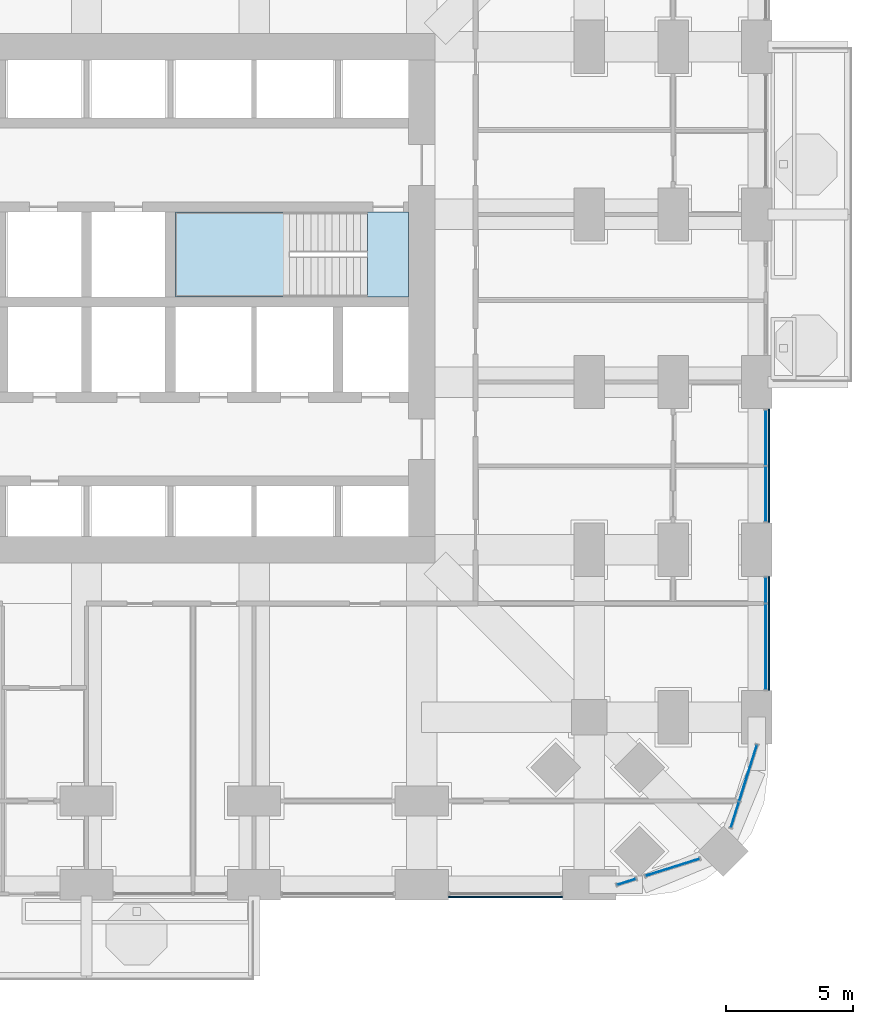
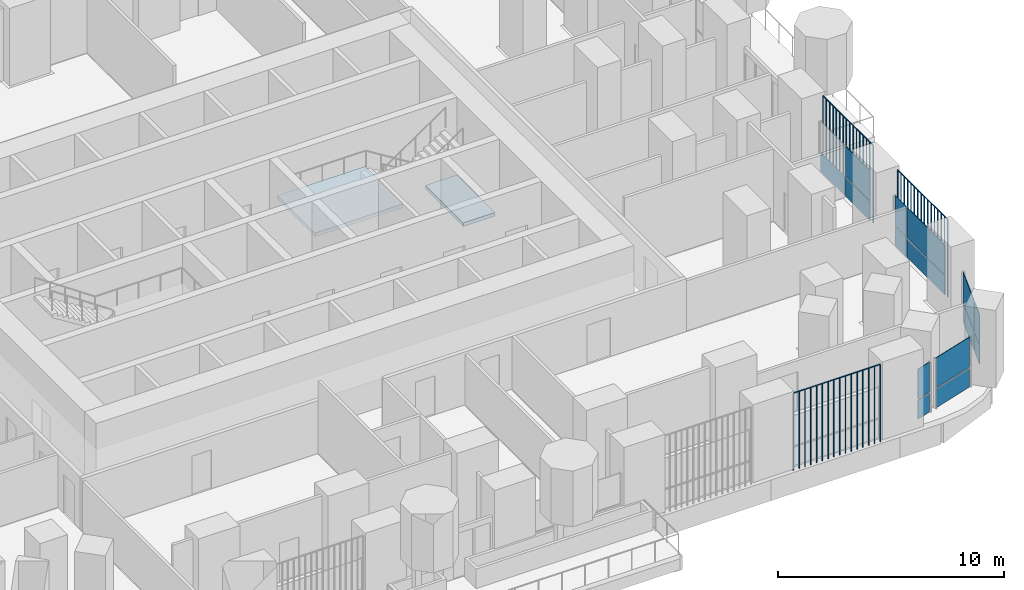
# One storey, part 13 of 26: 18 plates, 2 slabs, 6 elements without a shape of their own.
"""IFC4 building model written with IfcOpenShell, lengths in metres."""

from ifc_helpers import new_model, si_unit, direction, frame, origin, origin_2d, place, context, subcontext, project, spatial, polyline, rectangle, outline, extrude, material, layer, layer_set, type_object, element, aggregate, save


model = new_model("IFC4")

# Units and contexts
model_context = context("Model", 3, precision=1e-05, world=origin(), true_north=direction((0.0, 1.0)))
body_context = subcontext(model_context, "Body", "Model", "MODEL_VIEW")
ifc_project = project(units=[si_unit("LENGTHUNIT", "METRE"), si_unit("AREAUNIT", "SQUARE_METRE"), si_unit("VOLUMEUNIT", "CUBIC_METRE"), si_unit("PLANEANGLEUNIT", "RADIAN"), si_unit("MASSUNIT", "GRAM", prefix="KILO")], contexts=[model_context])

# Site, building, storey
site_placement = place(None, origin())
site = spatial("IfcSite", under=ifc_project, at=site_placement, CompositionType="ELEMENT")
building_placement = place(site_placement, origin())
building = spatial("IfcBuilding", under=site, at=building_placement, Name="Cobogo Forest Laboratory Tower", CompositionType="ELEMENT")
storey_placement = place(building_placement, frame((0.0, 0.0, 50.699951171875)))
storey = spatial("IfcBuildingStorey", under=building, at=storey_placement, Name="L11", CompositionType="ELEMENT", Elevation=50.699951171875)

# Curtain wall, plates
ifc_material_1 = material(Name="Aluminium curtain wall", Category="aluminium")
curtain_wall_type = type_object("IfcCurtainWallType", Name="CW-1 unitised curtain wall, clear glazing, laboratory floors zones A and B", PredefinedType="USERDEFINED", material=ifc_material_1)
curtain_wall_1_placement = place(storey_placement, origin())
curtain_wall_1 = element("IfcCurtainWall", 1, at=curtain_wall_1_placement, inside=storey, type_object=curtain_wall_type, Name="Curtain wall 07 L11", ObjectType="UNITISED CURTAIN WALL", PredefinedType="USERDEFINED")
ifc_material_2 = material(Name="Clear insulated glass", Category="glass")
ifc_layer_1 = layer(ifc_material_2, 0.028076171875)
ifc_layer_set_1 = layer_set([ifc_layer_1], Name="GP-1 clear insulated glass unit 28")
plate_type_1 = type_object("IfcPlateType", Name="GP-1 clear insulated glass unit 28", PredefinedType="CURTAIN_PANEL", material=ifc_layer_set_1)
plate_1_placement = place(storey_placement, frame((47.666015625, 0.113037109375, 0.0), z_axis=(0.0, 0.0, 1.0), x_axis=(0.953581504428, 0.301135043481, 0.0)))
plate_1 = element("IfcPlate", 2, at=plate_1_placement, type_object=plate_type_1, Name="CW-1 panel 1.1", PredefinedType="CURTAIN_PANEL", context=body_context, shape_type="SweptSolid", body=[
    extrude(rectangle(XDim=0.75244140625, YDim=0.028076171875, at=origin_2d()), origin(), (0.0, 0.0, 1.0), 1.02001953125),
])
plate_2_placement = place(storey_placement, frame((47.666015625, 0.113037109375, 1.080078125), z_axis=(0.0, 0.0, 1.0), x_axis=(0.953581504428, 0.301135043481, 0.0)))
plate_2 = element("IfcPlate", 3, at=plate_2_placement, type_object=plate_type_1, Name="CW-1 panel 1.2", PredefinedType="CURTAIN_PANEL", context=body_context, shape_type="SweptSolid", body=[
    extrude(rectangle(XDim=0.75244140625, YDim=0.028076171875, at=origin_2d()), origin(), (0.0, 0.0, 1.0), 1.6201171875),
])
aggregate(curtain_wall_1, [plate_1, plate_2])

curtain_wall_2_placement = place(storey_placement, origin())
curtain_wall_2 = element("IfcCurtainWall", 4, at=curtain_wall_2_placement, inside=storey, type_object=curtain_wall_type, Name="Curtain wall 08 L11", ObjectType="UNITISED CURTAIN WALL", PredefinedType="USERDEFINED")
plate_3_placement = place(storey_placement, frame((49.482177734375, 0.6865234375, 0.0), z_axis=(0.0, 0.0, 1.0), x_axis=(0.953581409645, 0.301135343623, 0.0)))
plate_3 = element("IfcPlate", 5, at=plate_3_placement, type_object=plate_type_1, Name="CW-1 panel 1.1", PredefinedType="CURTAIN_PANEL", context=body_context, shape_type="SweptSolid", body=[
    extrude(rectangle(XDim=2.203369140625, YDim=0.028076171875, at=origin_2d()), origin(), (0.0, 0.0, 1.0), 1.02001953125),
])
plate_4_placement = place(storey_placement, frame((49.482177734375, 0.6865234375, 1.080078125), z_axis=(0.0, 0.0, 1.0), x_axis=(0.953581409645, 0.301135343623, 0.0)))
plate_4 = element("IfcPlate", 6, at=plate_4_placement, type_object=plate_type_1, Name="CW-1 panel 1.2", PredefinedType="CURTAIN_PANEL", context=body_context, shape_type="SweptSolid", body=[
    extrude(rectangle(XDim=2.203369140625, YDim=0.028076171875, at=origin_2d()), origin(), (0.0, 0.0, 1.0), 1.6201171875),
])
aggregate(curtain_wall_2, [plate_3, plate_4])

curtain_wall_3_placement = place(storey_placement, origin())
curtain_wall_3 = element("IfcCurtainWall", 7, at=curtain_wall_3_placement, inside=storey, type_object=curtain_wall_type, Name="Curtain wall 09 L11", ObjectType="UNITISED CURTAIN WALL", PredefinedType="USERDEFINED")
plate_5_placement = place(storey_placement, frame((51.9365234375, 2.75732421875, 0.0), z_axis=(0.0, 0.0, 1.0), x_axis=(0.30113535792, 0.95358140513, 0.0)))
plate_5 = element("IfcPlate", 8, at=plate_5_placement, type_object=plate_type_1, Name="CW-1 panel 1.1", PredefinedType="CURTAIN_PANEL", context=body_context, shape_type="SweptSolid", body=[
    extrude(rectangle(XDim=1.027587890625, YDim=0.028076171875, at=origin_2d()), origin(), (0.0, 0.0, 1.0), 1.02001953125),
])
plate_6_placement = place(storey_placement, frame((51.9365234375, 2.75732421875, 1.080078125), z_axis=(0.0, 0.0, 1.0), x_axis=(0.30113535792, 0.95358140513, 0.0)))
plate_6 = element("IfcPlate", 9, at=plate_6_placement, type_object=plate_type_1, Name="CW-1 panel 1.2", PredefinedType="CURTAIN_PANEL", context=body_context, shape_type="SweptSolid", body=[
    extrude(rectangle(XDim=1.027587890625, YDim=0.028076171875, at=origin_2d()), origin(), (0.0, 0.0, 1.0), 1.6201171875),
])
plate_7_placement = place(storey_placement, frame((52.454833984375, 4.398681640625, 0.0), z_axis=(0.0, 0.0, 1.0), x_axis=(0.30113535792, 0.95358140513, 0.0)))
plate_7 = element("IfcPlate", 10, at=plate_7_placement, type_object=plate_type_1, Name="CW-1 panel 2.1", PredefinedType="CURTAIN_PANEL", context=body_context, shape_type="SweptSolid", body=[
    extrude(rectangle(XDim=2.294677734375, YDim=0.028076171875, at=origin_2d()), origin(), (0.0, 0.0, 1.0), 1.02001953125),
])
plate_8_placement = place(storey_placement, frame((52.454833984375, 4.398681640625, 1.080078125), z_axis=(0.0, 0.0, 1.0), x_axis=(0.30113535792, 0.95358140513, 0.0)))
plate_8 = element("IfcPlate", 11, at=plate_8_placement, type_object=plate_type_1, Name="CW-1 panel 2.2", PredefinedType="CURTAIN_PANEL", context=body_context, shape_type="SweptSolid", body=[
    extrude(rectangle(XDim=2.294677734375, YDim=0.028076171875, at=origin_2d()), origin(), (0.0, 0.0, 1.0), 1.6201171875),
])
aggregate(curtain_wall_3, [plate_5, plate_6, plate_7, plate_8])

curtain_wall_4_placement = place(storey_placement, origin())
curtain_wall_4 = element("IfcCurtainWall", 12, at=curtain_wall_4_placement, inside=storey, type_object=curtain_wall_type, Name="Curtain wall 10 L11", ObjectType="UNITISED CURTAIN WALL", PredefinedType="USERDEFINED")
plate_9_placement = place(storey_placement, frame((53.14990234375, 9.37744140625, 0.0), z_axis=(0.0, 0.0, 1.0), x_axis=(0.0, 1.0, 0.0)))
plate_9 = element("IfcPlate", 13, at=plate_9_placement, type_object=plate_type_1, Name="CW-1 panel 1.1", PredefinedType="CURTAIN_PANEL", context=body_context, shape_type="SweptSolid", body=[
    extrude(rectangle(XDim=3.3349609375, YDim=0.028076171875, at=origin_2d()), origin(), (0.0, 0.0, 1.0), 1.02001953125),
])
plate_10_placement = place(storey_placement, frame((53.14990234375, 9.37744140625, 1.080078125), z_axis=(0.0, 0.0, 1.0), x_axis=(0.0, 1.0, 0.0)))
plate_10 = element("IfcPlate", 14, at=plate_10_placement, type_object=plate_type_1, Name="CW-1 panel 1.2", PredefinedType="CURTAIN_PANEL", context=body_context, shape_type="SweptSolid", body=[
    extrude(rectangle(XDim=3.3349609375, YDim=0.028076171875, at=origin_2d()), origin(), (0.0, 0.0, 1.0), 1.6201171875),
])
plate_11_placement = place(storey_placement, frame((53.14990234375, 11.597412109375, 0.0), z_axis=(0.0, 0.0, 1.0), x_axis=(0.0, 1.0, 0.0)))
plate_11 = element("IfcPlate", 15, at=plate_11_placement, type_object=plate_type_1, Name="CW-1 panel 2.1", PredefinedType="CURTAIN_PANEL", context=body_context, shape_type="SweptSolid", body=[
    extrude(rectangle(XDim=0.985107421875, YDim=0.028076171875, at=origin_2d()), origin(), (0.0, 0.0, 1.0), 1.02001953125),
])
plate_12_placement = place(storey_placement, frame((53.14990234375, 11.597412109375, 1.080078125), z_axis=(0.0, 0.0, 1.0), x_axis=(0.0, 1.0, 0.0)))
plate_12 = element("IfcPlate", 16, at=plate_12_placement, type_object=plate_type_1, Name="CW-1 panel 2.2", PredefinedType="CURTAIN_PANEL", context=body_context, shape_type="SweptSolid", body=[
    extrude(rectangle(XDim=0.985107421875, YDim=0.028076171875, at=origin_2d()), origin(), (0.0, 0.0, 1.0), 1.6201171875),
])
aggregate(curtain_wall_4, [plate_9, plate_10, plate_11, plate_12])

curtain_wall_5_placement = place(storey_placement, origin())
curtain_wall_5 = element("IfcCurtainWall", 17, at=curtain_wall_5_placement, inside=storey, type_object=curtain_wall_type, Name="Curtain wall 11 L11", ObjectType="UNITISED CURTAIN WALL", PredefinedType="USERDEFINED")
plate_13_placement = place(storey_placement, frame((53.14990234375, 15.389892578125, 0.0), z_axis=(0.0, 0.0, 1.0), x_axis=(0.0, 1.0, 0.0)))
plate_13 = element("IfcPlate", 18, at=plate_13_placement, type_object=plate_type_1, Name="CW-1 panel 1.1", PredefinedType="CURTAIN_PANEL", context=body_context, shape_type="SweptSolid", body=[
    extrude(rectangle(XDim=2.159912109375, YDim=0.028076171875, at=origin_2d()), origin(), (0.0, 0.0, 1.0), 1.02001953125),
])
plate_14_placement = place(storey_placement, frame((53.14990234375, 15.389892578125, 1.080078125), z_axis=(0.0, 0.0, 1.0), x_axis=(0.0, 1.0, 0.0)))
plate_14 = element("IfcPlate", 19, at=plate_14_placement, type_object=plate_type_1, Name="CW-1 panel 1.2", PredefinedType="CURTAIN_PANEL", context=body_context, shape_type="SweptSolid", body=[
    extrude(rectangle(XDim=2.159912109375, YDim=0.028076171875, at=origin_2d()), origin(), (0.0, 0.0, 1.0), 1.6201171875),
])
plate_15_placement = place(storey_placement, frame((53.14990234375, 17.610107421875, 0.0), z_axis=(0.0, 0.0, 1.0), x_axis=(0.0, 1.0, 0.0)))
plate_15 = element("IfcPlate", 20, at=plate_15_placement, type_object=plate_type_1, Name="CW-1 panel 2.1", PredefinedType="CURTAIN_PANEL", context=body_context, shape_type="SweptSolid", body=[
    extrude(rectangle(XDim=2.159912109375, YDim=0.028076171875, at=origin_2d()), origin(), (0.0, 0.0, 1.0), 1.02001953125),
])
aggregate(curtain_wall_5, [plate_13, plate_14, plate_15])

# Stair, slabs
ifc_material_3 = material(Name="Precast concrete HA-40 (C40/50)", Category="concrete")
stair_type = type_object("IfcStairType", Name="ST24 exit stair 24 risers", PredefinedType="HALF_TURN_STAIR", material=ifc_material_3)
stair_placement = place(storey_placement, origin())
stair = element("IfcStair", 21, at=stair_placement, inside=storey, type_object=stair_type, Name="Stair 2 L11 to L12", PredefinedType="HALF_TURN_STAIR")
ifc_material_4 = material(Name="Concrete HA-40 (C40/50)", Category="concrete")
ifc_layer_2 = layer(ifc_material_4, 0.199951171875)
ifc_layer_set_2 = layer_set([ifc_layer_2], Name="SL stair landing 200")
slab_type = type_object("IfcSlabType", Name="SL stair landing 200", PredefinedType="LANDING", material=ifc_layer_set_2)
slab_1_placement = place(storey_placement, frame((0.0, 0.0, -0.199951171875)))
slab_1 = element("IfcSlab", 22, at=slab_1_placement, type_object=slab_type, Name="ST2 landing 1", PredefinedType="LANDING", context=body_context, shape_type="SweptSolid", body=[
    extrude(outline(polyline([(37.472900390625, 23.14990234375), (39.074951171875, 23.14990234375), (39.074951171875, 26.5), (37.472900390625, 26.5), (37.472900390625, 23.14990234375)])), origin(), (0.0, 0.0, 1.0), 0.199951171875),
])
slab_2_placement = place(storey_placement, frame((0.0, 0.0, 1.900146484375)))
slab_2 = element("IfcSlab", 23, at=slab_2_placement, type_object=slab_type, Name="ST2 landing 2", PredefinedType="LANDING", context=body_context, shape_type="SweptSolid", body=[
    extrude(outline(polyline([(29.89990234375, 23.14990234375), (34.39697265625, 23.14990234375), (34.39697265625, 26.5), (29.89990234375, 26.5), (29.89990234375, 23.14990234375)])), origin(), (0.0, 0.0, 1.0), 0.199951171875),
])
aggregate(stair, [slab_1, slab_2])

# Plates
ifc_material_5 = material(Name="Terracotta", Category="masonry")
plate_type_2 = type_object("IfcPlateType", Name="TB1 terracotta baguette screen", PredefinedType="USERDEFINED", material=ifc_material_5)
plate_16_placement = place(storey_placement, frame((40.68115234375, -0.477783203125, -0.14990234375)))
element("IfcPlate", 24, at=plate_16_placement, inside=storey, type_object=plate_type_2, Name="Baguette screen S6 L11", ObjectType="BAGUETTE SCREEN", PredefinedType="USERDEFINED", context=body_context, shape_type="SweptSolid", body=[
    extrude(outline(polyline([(0.02880859375, 0.011962890625), (0.011962890625, 0.02880859375), (-0.011962890625, 0.02880859375), (-0.02880859375, 0.011962890625), (-0.02880859375, -0.011962890625), (-0.011962890625, -0.02880859375), (0.011962890625, -0.02880859375), (0.02880859375, -0.011962890625), (0.02880859375, 0.011962890625)])), frame((0.0, 0.0, 4.168701171875), z_axis=(1.0, 0.0, 0.0), x_axis=(0.0, 1.0, 0.0)), (0.0, 0.0, 1.0), 4.4375),
    extrude(outline(polyline([(0.02880859375, 0.011962890625), (0.011962890625, 0.02880859375), (-0.011962890625, 0.02880859375), (-0.02880859375, 0.011962890625), (-0.02880859375, -0.011962890625), (-0.011962890625, -0.02880859375), (0.011962890625, -0.02880859375), (0.02880859375, -0.011962890625), (0.02880859375, 0.011962890625)])), origin(), (0.0, 0.0, 1.0), 4.137451171875),
    extrude(outline(polyline([(0.02880859375, 0.011962890625), (0.011962890625, 0.02880859375), (-0.011962890625, 0.02880859375), (-0.02880859375, 0.011962890625), (-0.02880859375, -0.011962890625), (-0.011962890625, -0.02880859375), (0.011962890625, -0.02880859375), (0.02880859375, -0.011962890625), (0.02880859375, 0.011962890625)])), frame((0.2958984375, 0.0, 0.0)), (0.0, 0.0, 1.0), 4.137451171875),
    extrude(outline(polyline([(0.02880859375, 0.011962890625), (0.011962890625, 0.02880859375), (-0.011962890625, 0.02880859375), (-0.02880859375, 0.011962890625), (-0.02880859375, -0.011962890625), (-0.011962890625, -0.02880859375), (0.011962890625, -0.02880859375), (0.02880859375, -0.011962890625), (0.02880859375, 0.011962890625)])), frame((0.591552734375, 0.0, 0.0)), (0.0, 0.0, 1.0), 4.137451171875),
    extrude(outline(polyline([(0.02880859375, 0.011962890625), (0.011962890625, 0.02880859375), (-0.011962890625, 0.02880859375), (-0.02880859375, 0.011962890625), (-0.02880859375, -0.011962890625), (-0.011962890625, -0.02880859375), (0.011962890625, -0.02880859375), (0.02880859375, -0.011962890625), (0.02880859375, 0.011962890625)])), frame((0.887451171875, 0.0, 0.0)), (0.0, 0.0, 1.0), 4.137451171875),
    extrude(outline(polyline([(0.02880859375, 0.011962890625), (0.011962890625, 0.02880859375), (-0.011962890625, 0.02880859375), (-0.02880859375, 0.011962890625), (-0.02880859375, -0.011962890625), (-0.011962890625, -0.02880859375), (0.011962890625, -0.02880859375), (0.02880859375, -0.011962890625), (0.02880859375, 0.011962890625)])), frame((1.183349609375, 0.0, 0.0)), (0.0, 0.0, 1.0), 4.137451171875),
    extrude(outline(polyline([(0.02880859375, 0.011962890625), (0.011962890625, 0.02880859375), (-0.011962890625, 0.02880859375), (-0.02880859375, 0.011962890625), (-0.02880859375, -0.011962890625), (-0.011962890625, -0.02880859375), (0.011962890625, -0.02880859375), (0.02880859375, -0.011962890625), (0.02880859375, 0.011962890625)])), frame((1.479248046875, 0.0, 0.0)), (0.0, 0.0, 1.0), 4.137451171875),
    extrude(outline(polyline([(0.02880859375, 0.011962890625), (0.011962890625, 0.02880859375), (-0.011962890625, 0.02880859375), (-0.02880859375, 0.011962890625), (-0.02880859375, -0.011962890625), (-0.011962890625, -0.02880859375), (0.011962890625, -0.02880859375), (0.02880859375, -0.011962890625), (0.02880859375, 0.011962890625)])), frame((1.77490234375, 0.0, 0.0)), (0.0, 0.0, 1.0), 4.137451171875),
    extrude(outline(polyline([(0.02880859375, 0.011962890625), (0.011962890625, 0.02880859375), (-0.011962890625, 0.02880859375), (-0.02880859375, 0.011962890625), (-0.02880859375, -0.011962890625), (-0.011962890625, -0.02880859375), (0.011962890625, -0.02880859375), (0.02880859375, -0.011962890625), (0.02880859375, 0.011962890625)])), frame((2.07080078125, 0.0, 0.0)), (0.0, 0.0, 1.0), 4.137451171875),
    extrude(outline(polyline([(0.02880859375, 0.011962890625), (0.011962890625, 0.02880859375), (-0.011962890625, 0.02880859375), (-0.02880859375, 0.011962890625), (-0.02880859375, -0.011962890625), (-0.011962890625, -0.02880859375), (0.011962890625, -0.02880859375), (0.02880859375, -0.011962890625), (0.02880859375, 0.011962890625)])), frame((2.36669921875, 0.0, 0.0)), (0.0, 0.0, 1.0), 4.137451171875),
    extrude(outline(polyline([(0.02880859375, 0.011962890625), (0.011962890625, 0.02880859375), (-0.011962890625, 0.02880859375), (-0.02880859375, 0.011962890625), (-0.02880859375, -0.011962890625), (-0.011962890625, -0.02880859375), (0.011962890625, -0.02880859375), (0.02880859375, -0.011962890625), (0.02880859375, 0.011962890625)])), frame((2.66259765625, 0.0, 0.0)), (0.0, 0.0, 1.0), 4.137451171875),
    extrude(outline(polyline([(0.02880859375, 0.011962890625), (0.011962890625, 0.02880859375), (-0.011962890625, 0.02880859375), (-0.02880859375, 0.011962890625), (-0.02880859375, -0.011962890625), (-0.011962890625, -0.02880859375), (0.011962890625, -0.02880859375), (0.02880859375, -0.011962890625), (0.02880859375, 0.011962890625)])), frame((2.958251953125, 0.0, 0.0)), (0.0, 0.0, 1.0), 4.137451171875),
    extrude(outline(polyline([(0.02880859375, 0.011962890625), (0.011962890625, 0.02880859375), (-0.011962890625, 0.02880859375), (-0.02880859375, 0.011962890625), (-0.02880859375, -0.011962890625), (-0.011962890625, -0.02880859375), (0.011962890625, -0.02880859375), (0.02880859375, -0.011962890625), (0.02880859375, 0.011962890625)])), frame((3.254150390625, 0.0, 0.0)), (0.0, 0.0, 1.0), 4.137451171875),
    extrude(outline(polyline([(0.02880859375, 0.011962890625), (0.011962890625, 0.02880859375), (-0.011962890625, 0.02880859375), (-0.02880859375, 0.011962890625), (-0.02880859375, -0.011962890625), (-0.011962890625, -0.02880859375), (0.011962890625, -0.02880859375), (0.02880859375, -0.011962890625), (0.02880859375, 0.011962890625)])), frame((3.550048828125, 0.0, 0.0)), (0.0, 0.0, 1.0), 4.137451171875),
    extrude(outline(polyline([(0.02880859375, 0.011962890625), (0.011962890625, 0.02880859375), (-0.011962890625, 0.02880859375), (-0.02880859375, 0.011962890625), (-0.02880859375, -0.011962890625), (-0.011962890625, -0.02880859375), (0.011962890625, -0.02880859375), (0.02880859375, -0.011962890625), (0.02880859375, 0.011962890625)])), frame((3.845947265625, 0.0, 0.0)), (0.0, 0.0, 1.0), 4.137451171875),
    extrude(outline(polyline([(0.02880859375, 0.011962890625), (0.011962890625, 0.02880859375), (-0.011962890625, 0.02880859375), (-0.02880859375, 0.011962890625), (-0.02880859375, -0.011962890625), (-0.011962890625, -0.02880859375), (0.011962890625, -0.02880859375), (0.02880859375, -0.011962890625), (0.02880859375, 0.011962890625)])), frame((4.1416015625, 0.0, 0.0)), (0.0, 0.0, 1.0), 4.137451171875),
    extrude(outline(polyline([(0.02880859375, 0.011962890625), (0.011962890625, 0.02880859375), (-0.011962890625, 0.02880859375), (-0.02880859375, 0.011962890625), (-0.02880859375, -0.011962890625), (-0.011962890625, -0.02880859375), (0.011962890625, -0.02880859375), (0.02880859375, -0.011962890625), (0.02880859375, 0.011962890625)])), frame((4.4375, 0.0, 0.0)), (0.0, 0.0, 1.0), 4.137451171875),
])
plate_17_placement = place(storey_placement, frame((53.27783203125, 7.68115234375, -0.14990234375)))
element("IfcPlate", 25, at=plate_17_placement, inside=storey, type_object=plate_type_2, Name="Baguette screen E1 L11", ObjectType="BAGUETTE SCREEN", PredefinedType="USERDEFINED", context=body_context, shape_type="SweptSolid", body=[
    extrude(outline(polyline([(0.02880859375, 0.011962890625), (0.011962890625, 0.02880859375), (-0.011962890625, 0.02880859375), (-0.02880859375, 0.011962890625), (-0.02880859375, -0.011962890625), (-0.011962890625, -0.02880859375), (0.011962890625, -0.02880859375), (0.02880859375, -0.011962890625), (0.02880859375, 0.011962890625)])), frame((0.0, 0.0, 4.168701171875), z_axis=(0.0, 1.0, 0.0), x_axis=(-1.0, 0.0, 0.0)), (0.0, 0.0, 1.0), 4.4375),
    extrude(outline(polyline([(0.02880859375, 0.011962890625), (0.011962890625, 0.02880859375), (-0.011962890625, 0.02880859375), (-0.02880859375, 0.011962890625), (-0.02880859375, -0.011962890625), (-0.011962890625, -0.02880859375), (0.011962890625, -0.02880859375), (0.02880859375, -0.011962890625), (0.02880859375, 0.011962890625)])), origin(), (0.0, 0.0, 1.0), 4.137451171875),
    extrude(outline(polyline([(0.02880859375, 0.011962890625), (0.011962890625, 0.02880859375), (-0.011962890625, 0.02880859375), (-0.02880859375, 0.011962890625), (-0.02880859375, -0.011962890625), (-0.011962890625, -0.02880859375), (0.011962890625, -0.02880859375), (0.02880859375, -0.011962890625), (0.02880859375, 0.011962890625)])), frame((0.0, 0.2958984375, 0.0)), (0.0, 0.0, 1.0), 4.137451171875),
    extrude(outline(polyline([(0.02880859375, 0.011962890625), (0.011962890625, 0.02880859375), (-0.011962890625, 0.02880859375), (-0.02880859375, 0.011962890625), (-0.02880859375, -0.011962890625), (-0.011962890625, -0.02880859375), (0.011962890625, -0.02880859375), (0.02880859375, -0.011962890625), (0.02880859375, 0.011962890625)])), frame((0.0, 0.591552734375, 0.0)), (0.0, 0.0, 1.0), 4.137451171875),
    extrude(outline(polyline([(0.02880859375, 0.011962890625), (0.011962890625, 0.02880859375), (-0.011962890625, 0.02880859375), (-0.02880859375, 0.011962890625), (-0.02880859375, -0.011962890625), (-0.011962890625, -0.02880859375), (0.011962890625, -0.02880859375), (0.02880859375, -0.011962890625), (0.02880859375, 0.011962890625)])), frame((0.0, 0.887451171875, 0.0)), (0.0, 0.0, 1.0), 4.137451171875),
    extrude(outline(polyline([(0.02880859375, 0.011962890625), (0.011962890625, 0.02880859375), (-0.011962890625, 0.02880859375), (-0.02880859375, 0.011962890625), (-0.02880859375, -0.011962890625), (-0.011962890625, -0.02880859375), (0.011962890625, -0.02880859375), (0.02880859375, -0.011962890625), (0.02880859375, 0.011962890625)])), frame((0.0, 1.183349609375, 0.0)), (0.0, 0.0, 1.0), 4.137451171875),
    extrude(outline(polyline([(0.02880859375, 0.011962890625), (0.011962890625, 0.02880859375), (-0.011962890625, 0.02880859375), (-0.02880859375, 0.011962890625), (-0.02880859375, -0.011962890625), (-0.011962890625, -0.02880859375), (0.011962890625, -0.02880859375), (0.02880859375, -0.011962890625), (0.02880859375, 0.011962890625)])), frame((0.0, 1.479248046875, 0.0)), (0.0, 0.0, 1.0), 4.137451171875),
    extrude(outline(polyline([(0.02880859375, 0.011962890625), (0.011962890625, 0.02880859375), (-0.011962890625, 0.02880859375), (-0.02880859375, 0.011962890625), (-0.02880859375, -0.011962890625), (-0.011962890625, -0.02880859375), (0.011962890625, -0.02880859375), (0.02880859375, -0.011962890625), (0.02880859375, 0.011962890625)])), frame((0.0, 1.77490234375, 0.0)), (0.0, 0.0, 1.0), 4.137451171875),
    extrude(outline(polyline([(0.02880859375, 0.011962890625), (0.011962890625, 0.02880859375), (-0.011962890625, 0.02880859375), (-0.02880859375, 0.011962890625), (-0.02880859375, -0.011962890625), (-0.011962890625, -0.02880859375), (0.011962890625, -0.02880859375), (0.02880859375, -0.011962890625), (0.02880859375, 0.011962890625)])), frame((0.0, 2.07080078125, 0.0)), (0.0, 0.0, 1.0), 4.137451171875),
    extrude(outline(polyline([(0.02880859375, 0.011962890625), (0.011962890625, 0.02880859375), (-0.011962890625, 0.02880859375), (-0.02880859375, 0.011962890625), (-0.02880859375, -0.011962890625), (-0.011962890625, -0.02880859375), (0.011962890625, -0.02880859375), (0.02880859375, -0.011962890625), (0.02880859375, 0.011962890625)])), frame((0.0, 2.36669921875, 0.0)), (0.0, 0.0, 1.0), 4.137451171875),
    extrude(outline(polyline([(0.02880859375, 0.011962890625), (0.011962890625, 0.02880859375), (-0.011962890625, 0.02880859375), (-0.02880859375, 0.011962890625), (-0.02880859375, -0.011962890625), (-0.011962890625, -0.02880859375), (0.011962890625, -0.02880859375), (0.02880859375, -0.011962890625), (0.02880859375, 0.011962890625)])), frame((0.0, 2.66259765625, 0.0)), (0.0, 0.0, 1.0), 4.137451171875),
    extrude(outline(polyline([(0.02880859375, 0.011962890625), (0.011962890625, 0.02880859375), (-0.011962890625, 0.02880859375), (-0.02880859375, 0.011962890625), (-0.02880859375, -0.011962890625), (-0.011962890625, -0.02880859375), (0.011962890625, -0.02880859375), (0.02880859375, -0.011962890625), (0.02880859375, 0.011962890625)])), frame((0.0, 2.958251953125, 0.0)), (0.0, 0.0, 1.0), 4.137451171875),
    extrude(outline(polyline([(0.02880859375, 0.011962890625), (0.011962890625, 0.02880859375), (-0.011962890625, 0.02880859375), (-0.02880859375, 0.011962890625), (-0.02880859375, -0.011962890625), (-0.011962890625, -0.02880859375), (0.011962890625, -0.02880859375), (0.02880859375, -0.011962890625), (0.02880859375, 0.011962890625)])), frame((0.0, 3.254150390625, 0.0)), (0.0, 0.0, 1.0), 4.137451171875),
    extrude(outline(polyline([(0.02880859375, 0.011962890625), (0.011962890625, 0.02880859375), (-0.011962890625, 0.02880859375), (-0.02880859375, 0.011962890625), (-0.02880859375, -0.011962890625), (-0.011962890625, -0.02880859375), (0.011962890625, -0.02880859375), (0.02880859375, -0.011962890625), (0.02880859375, 0.011962890625)])), frame((0.0, 3.550048828125, 0.0)), (0.0, 0.0, 1.0), 4.137451171875),
    extrude(outline(polyline([(0.02880859375, 0.011962890625), (0.011962890625, 0.02880859375), (-0.011962890625, 0.02880859375), (-0.02880859375, 0.011962890625), (-0.02880859375, -0.011962890625), (-0.011962890625, -0.02880859375), (0.011962890625, -0.02880859375), (0.02880859375, -0.011962890625), (0.02880859375, 0.011962890625)])), frame((0.0, 3.845947265625, 0.0)), (0.0, 0.0, 1.0), 4.137451171875),
    extrude(outline(polyline([(0.02880859375, 0.011962890625), (0.011962890625, 0.02880859375), (-0.011962890625, 0.02880859375), (-0.02880859375, 0.011962890625), (-0.02880859375, -0.011962890625), (-0.011962890625, -0.02880859375), (0.011962890625, -0.02880859375), (0.02880859375, -0.011962890625), (0.02880859375, 0.011962890625)])), frame((0.0, 4.1416015625, 0.0)), (0.0, 0.0, 1.0), 4.137451171875),
    extrude(outline(polyline([(0.02880859375, 0.011962890625), (0.011962890625, 0.02880859375), (-0.011962890625, 0.02880859375), (-0.02880859375, 0.011962890625), (-0.02880859375, -0.011962890625), (-0.011962890625, -0.02880859375), (0.011962890625, -0.02880859375), (0.02880859375, -0.011962890625), (0.02880859375, 0.011962890625)])), frame((0.0, 4.4375, 0.0)), (0.0, 0.0, 1.0), 4.137451171875),
])
plate_18_placement = place(storey_placement, frame((53.27783203125, 14.28125, -0.14990234375)))
element("IfcPlate", 26, at=plate_18_placement, inside=storey, type_object=plate_type_2, Name="Baguette screen E2 L11", ObjectType="BAGUETTE SCREEN", PredefinedType="USERDEFINED", context=body_context, shape_type="SweptSolid", body=[
    extrude(outline(polyline([(0.02880859375, 0.011962890625), (0.011962890625, 0.02880859375), (-0.011962890625, 0.02880859375), (-0.02880859375, 0.011962890625), (-0.02880859375, -0.011962890625), (-0.011962890625, -0.02880859375), (0.011962890625, -0.02880859375), (0.02880859375, -0.011962890625), (0.02880859375, 0.011962890625)])), frame((0.0, 0.0, 4.168701171875), z_axis=(0.0, 1.0, 0.0), x_axis=(-1.0, 0.0, 0.0)), (0.0, 0.0, 1.0), 4.4375),
    extrude(outline(polyline([(0.02880859375, 0.011962890625), (0.011962890625, 0.02880859375), (-0.011962890625, 0.02880859375), (-0.02880859375, 0.011962890625), (-0.02880859375, -0.011962890625), (-0.011962890625, -0.02880859375), (0.011962890625, -0.02880859375), (0.02880859375, -0.011962890625), (0.02880859375, 0.011962890625)])), origin(), (0.0, 0.0, 1.0), 4.137451171875),
    extrude(outline(polyline([(0.02880859375, 0.011962890625), (0.011962890625, 0.02880859375), (-0.011962890625, 0.02880859375), (-0.02880859375, 0.011962890625), (-0.02880859375, -0.011962890625), (-0.011962890625, -0.02880859375), (0.011962890625, -0.02880859375), (0.02880859375, -0.011962890625), (0.02880859375, 0.011962890625)])), frame((0.0, 0.2958984375, 0.0)), (0.0, 0.0, 1.0), 4.137451171875),
    extrude(outline(polyline([(0.02880859375, 0.011962890625), (0.011962890625, 0.02880859375), (-0.011962890625, 0.02880859375), (-0.02880859375, 0.011962890625), (-0.02880859375, -0.011962890625), (-0.011962890625, -0.02880859375), (0.011962890625, -0.02880859375), (0.02880859375, -0.011962890625), (0.02880859375, 0.011962890625)])), frame((0.0, 0.591552734375, 0.0)), (0.0, 0.0, 1.0), 4.137451171875),
    extrude(outline(polyline([(0.02880859375, 0.011962890625), (0.011962890625, 0.02880859375), (-0.011962890625, 0.02880859375), (-0.02880859375, 0.011962890625), (-0.02880859375, -0.011962890625), (-0.011962890625, -0.02880859375), (0.011962890625, -0.02880859375), (0.02880859375, -0.011962890625), (0.02880859375, 0.011962890625)])), frame((0.0, 0.887451171875, 0.0)), (0.0, 0.0, 1.0), 4.137451171875),
    extrude(outline(polyline([(0.02880859375, 0.011962890625), (0.011962890625, 0.02880859375), (-0.011962890625, 0.02880859375), (-0.02880859375, 0.011962890625), (-0.02880859375, -0.011962890625), (-0.011962890625, -0.02880859375), (0.011962890625, -0.02880859375), (0.02880859375, -0.011962890625), (0.02880859375, 0.011962890625)])), frame((0.0, 1.183349609375, 0.0)), (0.0, 0.0, 1.0), 4.137451171875),
    extrude(outline(polyline([(0.02880859375, 0.011962890625), (0.011962890625, 0.02880859375), (-0.011962890625, 0.02880859375), (-0.02880859375, 0.011962890625), (-0.02880859375, -0.011962890625), (-0.011962890625, -0.02880859375), (0.011962890625, -0.02880859375), (0.02880859375, -0.011962890625), (0.02880859375, 0.011962890625)])), frame((0.0, 1.479248046875, 0.0)), (0.0, 0.0, 1.0), 4.137451171875),
    extrude(outline(polyline([(0.02880859375, 0.011962890625), (0.011962890625, 0.02880859375), (-0.011962890625, 0.02880859375), (-0.02880859375, 0.011962890625), (-0.02880859375, -0.011962890625), (-0.011962890625, -0.02880859375), (0.011962890625, -0.02880859375), (0.02880859375, -0.011962890625), (0.02880859375, 0.011962890625)])), frame((0.0, 1.77490234375, 0.0)), (0.0, 0.0, 1.0), 4.137451171875),
    extrude(outline(polyline([(0.02880859375, 0.011962890625), (0.011962890625, 0.02880859375), (-0.011962890625, 0.02880859375), (-0.02880859375, 0.011962890625), (-0.02880859375, -0.011962890625), (-0.011962890625, -0.02880859375), (0.011962890625, -0.02880859375), (0.02880859375, -0.011962890625), (0.02880859375, 0.011962890625)])), frame((0.0, 2.07080078125, 0.0)), (0.0, 0.0, 1.0), 4.137451171875),
    extrude(outline(polyline([(0.02880859375, 0.011962890625), (0.011962890625, 0.02880859375), (-0.011962890625, 0.02880859375), (-0.02880859375, 0.011962890625), (-0.02880859375, -0.011962890625), (-0.011962890625, -0.02880859375), (0.011962890625, -0.02880859375), (0.02880859375, -0.011962890625), (0.02880859375, 0.011962890625)])), frame((0.0, 2.36669921875, 0.0)), (0.0, 0.0, 1.0), 4.137451171875),
    extrude(outline(polyline([(0.02880859375, 0.011962890625), (0.011962890625, 0.02880859375), (-0.011962890625, 0.02880859375), (-0.02880859375, 0.011962890625), (-0.02880859375, -0.011962890625), (-0.011962890625, -0.02880859375), (0.011962890625, -0.02880859375), (0.02880859375, -0.011962890625), (0.02880859375, 0.011962890625)])), frame((0.0, 2.66259765625, 0.0)), (0.0, 0.0, 1.0), 4.137451171875),
    extrude(outline(polyline([(0.02880859375, 0.011962890625), (0.011962890625, 0.02880859375), (-0.011962890625, 0.02880859375), (-0.02880859375, 0.011962890625), (-0.02880859375, -0.011962890625), (-0.011962890625, -0.02880859375), (0.011962890625, -0.02880859375), (0.02880859375, -0.011962890625), (0.02880859375, 0.011962890625)])), frame((0.0, 2.958251953125, 0.0)), (0.0, 0.0, 1.0), 4.137451171875),
    extrude(outline(polyline([(0.02880859375, 0.011962890625), (0.011962890625, 0.02880859375), (-0.011962890625, 0.02880859375), (-0.02880859375, 0.011962890625), (-0.02880859375, -0.011962890625), (-0.011962890625, -0.02880859375), (0.011962890625, -0.02880859375), (0.02880859375, -0.011962890625), (0.02880859375, 0.011962890625)])), frame((0.0, 3.254150390625, 0.0)), (0.0, 0.0, 1.0), 4.137451171875),
    extrude(outline(polyline([(0.02880859375, 0.011962890625), (0.011962890625, 0.02880859375), (-0.011962890625, 0.02880859375), (-0.02880859375, 0.011962890625), (-0.02880859375, -0.011962890625), (-0.011962890625, -0.02880859375), (0.011962890625, -0.02880859375), (0.02880859375, -0.011962890625), (0.02880859375, 0.011962890625)])), frame((0.0, 3.550048828125, 0.0)), (0.0, 0.0, 1.0), 4.137451171875),
    extrude(outline(polyline([(0.02880859375, 0.011962890625), (0.011962890625, 0.02880859375), (-0.011962890625, 0.02880859375), (-0.02880859375, 0.011962890625), (-0.02880859375, -0.011962890625), (-0.011962890625, -0.02880859375), (0.011962890625, -0.02880859375), (0.02880859375, -0.011962890625), (0.02880859375, 0.011962890625)])), frame((0.0, 3.845947265625, 0.0)), (0.0, 0.0, 1.0), 4.137451171875),
    extrude(outline(polyline([(0.02880859375, 0.011962890625), (0.011962890625, 0.02880859375), (-0.011962890625, 0.02880859375), (-0.02880859375, 0.011962890625), (-0.02880859375, -0.011962890625), (-0.011962890625, -0.02880859375), (0.011962890625, -0.02880859375), (0.02880859375, -0.011962890625), (0.02880859375, 0.011962890625)])), frame((0.0, 4.1416015625, 0.0)), (0.0, 0.0, 1.0), 4.137451171875),
    extrude(outline(polyline([(0.02880859375, 0.011962890625), (0.011962890625, 0.02880859375), (-0.011962890625, 0.02880859375), (-0.02880859375, 0.011962890625), (-0.02880859375, -0.011962890625), (-0.011962890625, -0.02880859375), (0.011962890625, -0.02880859375), (0.02880859375, -0.011962890625), (0.02880859375, 0.011962890625)])), frame((0.0, 4.4375, 0.0)), (0.0, 0.0, 1.0), 4.137451171875),
])

save(model, "model.ifc")
